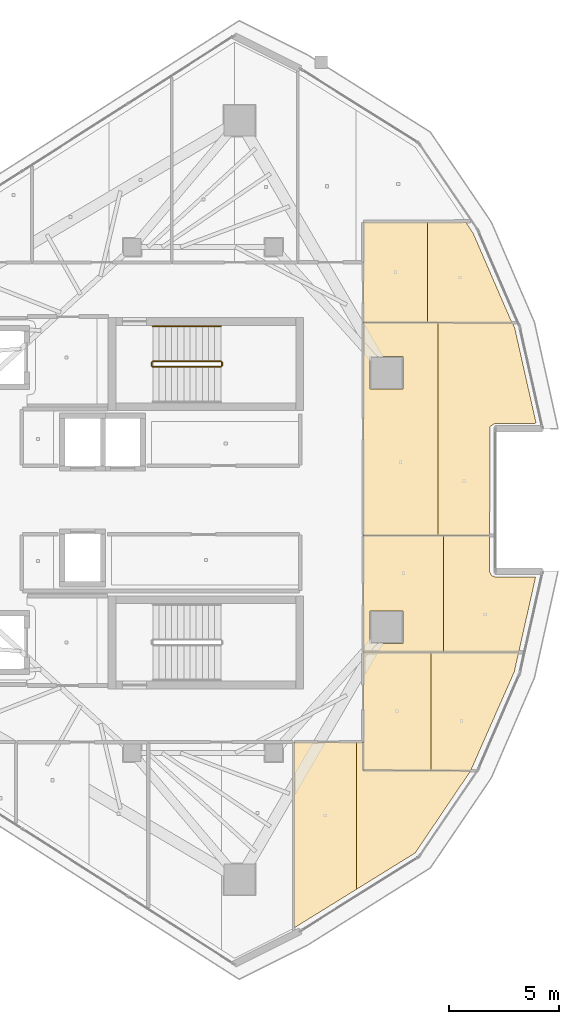
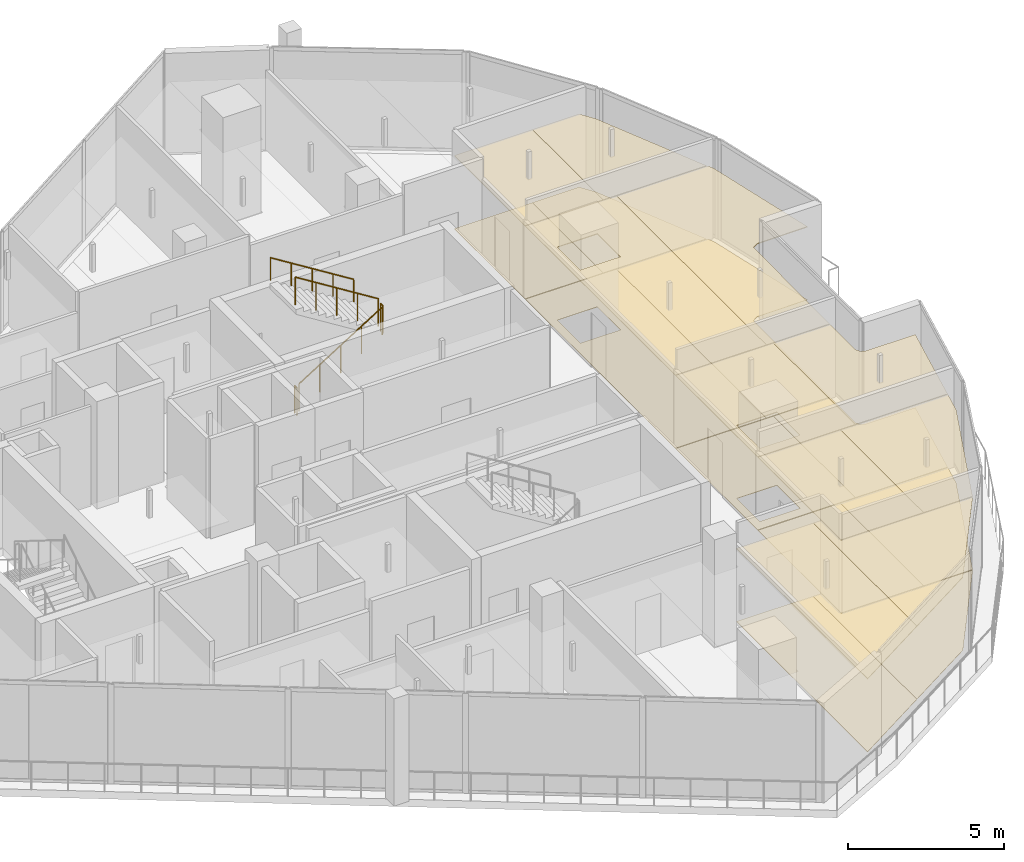
# One storey, part 23 of 24: 20 coverings, 5 railings.
"""IFC4 building model written with IfcOpenShell, lengths in metres."""

from ifc_helpers import new_model, si_unit, direction, frame, origin, origin_2d, place, context, subcontext, project, spatial, polyline, circle, outline, extrude, material, layer, layer_set, type_object, element, save


model = new_model("IFC4")

# Units and contexts
model_context = context("Model", 3, precision=1e-05, world=origin(), true_north=direction((0.0, 1.0)))
body_context = subcontext(model_context, "Body", "Model", "MODEL_VIEW")
ifc_project = project(units=[si_unit("LENGTHUNIT", "METRE"), si_unit("AREAUNIT", "SQUARE_METRE"), si_unit("VOLUMEUNIT", "CUBIC_METRE"), si_unit("PLANEANGLEUNIT", "RADIAN"), si_unit("MASSUNIT", "GRAM", prefix="KILO")], contexts=[model_context])

# Site, building, storey
site_placement = place(None, origin())
site = spatial("IfcSite", under=ifc_project, at=site_placement, CompositionType="ELEMENT")
building_placement = place(site_placement, origin())
building = spatial("IfcBuilding", under=site, at=building_placement, Name="Qorvath Tower", CompositionType="ELEMENT")
storey_placement = place(building_placement, frame((0.0, 0.0, 318.60009765625)))
storey = spatial("IfcBuildingStorey", under=building, at=storey_placement, Name="L74", CompositionType="ELEMENT", Elevation=318.60009765625)

# Coverings
ifc_material_1 = material(Name="Acoustic mineral fibre ceiling tile", Category="gypsum")
ifc_layer_1 = layer(ifc_material_1, 0.030029296875)
ifc_layer_set_1 = layer_set([ifc_layer_1], Name="COV-CEIL")
covering_type_1 = type_object("IfcCoveringType", Name="COV-CEIL", PredefinedType="CEILING", material=ifc_layer_set_1)
covering_1_placement = place(storey_placement, frame((0.0, 0.0, 2.849853515625)))
element("IfcCovering", 1, at=covering_1_placement, inside=storey, type_object=covering_type_1, Name="L74 Suspended Acoustic Ceiling 024", PredefinedType="CEILING", context=body_context, shape_type="SweptSolid", body=[
    extrude(outline(polyline([(-13.44921875, -17.624267578125), (-13.44921875, -10.962890625), (-16.28369140625, -10.962890625), (-16.284423828125, -19.37890625), (-13.44921875, -17.624267578125)])), origin(), (0.0, 0.0, 1.0), 0.030029296875),
])
covering_2_placement = place(storey_placement, frame((0.0, 0.0, 2.849853515625)))
element("IfcCovering", 2, at=covering_2_placement, inside=storey, type_object=covering_type_1, Name="L74 Suspended Acoustic Ceiling 025", PredefinedType="CEILING", context=body_context, shape_type="SweptSolid", body=[
    extrude(outline(polyline([(-13.155029296875, -10.962890625), (-13.44921875, -10.962890625), (-13.44921875, -17.624267578125), (-10.794189453125, -15.981201171875), (-8.281494140625, -12.25927734375), (-13.14990234375, -12.251953125), (-13.155029296875, -10.962890625)])), origin(), (0.0, 0.0, 1.0), 0.030029296875),
])
covering_3_placement = place(storey_placement, frame((0.0, 0.0, 2.849853515625)))
element("IfcCovering", 3, at=covering_3_placement, inside=storey, type_object=covering_type_1, Name="L74 Suspended Acoustic Ceiling 026", PredefinedType="CEILING", context=body_context, shape_type="SweptSolid", body=[
    extrude(outline(polyline([(-13.136962890625, -12.23388671875), (-10.087890625, -12.238525390625), (-10.087890625, -6.89599609375), (-13.136962890625, -6.89599609375), (-13.136962890625, -12.23388671875)])), origin(), (0.0, 0.0, 1.0), 0.030029296875),
])
covering_4_placement = place(storey_placement, frame((0.0, 0.0, 2.849853515625)))
element("IfcCovering", 4, at=covering_4_placement, inside=storey, type_object=covering_type_1, Name="L74 Suspended Acoustic Ceiling 027", PredefinedType="CEILING", context=body_context, shape_type="SweptSolid", body=[
    extrude(outline(polyline([(-10.087890625, -6.89599609375), (-10.087890625, -12.238525390625), (-8.2763671875, -12.2412109375), (-6.3076171875, -7.781982421875), (-6.108154296875, -6.89599609375), (-10.087890625, -6.89599609375)])), origin(), (0.0, 0.0, 1.0), 0.030029296875),
])
covering_5_placement = place(storey_placement, frame((0.0, 0.0, 2.849853515625)))
element("IfcCovering", 5, at=covering_5_placement, inside=storey, type_object=covering_type_1, Name="L74 Suspended Acoustic Ceiling 028", PredefinedType="CEILING", context=body_context, shape_type="SweptSolid", body=[
    extrude(outline(polyline([(-9.520263671875, -6.8779296875), (-9.520263671875, -1.6142578125), (-13.136962890625, -1.6142578125), (-13.136962890625, -6.8779296875), (-9.520263671875, -6.8779296875)]), holes=[polyline([(-12.839111328125, -6.500244140625), (-12.839111328125, -5.015380859375), (-11.3544921875, -5.015380859375), (-11.3544921875, -6.500244140625), (-12.839111328125, -6.500244140625)])]), origin(), (0.0, 0.0, 1.0), 0.030029296875),
])
covering_6_placement = place(storey_placement, frame((0.0, 0.0, 2.849853515625)))
element("IfcCovering", 6, at=covering_6_placement, inside=storey, type_object=covering_type_1, Name="L74 Suspended Acoustic Ceiling 029", PredefinedType="CEILING", context=body_context, shape_type="SweptSolid", body=[
    extrude(outline(polyline([(-7.33251953125, -3.41943359375), (-7.42333984375, -3.248291015625), (-7.424560546875, -1.6142578125), (-9.520263671875, -1.6142578125), (-9.520263671875, -6.8779296875), (-6.104248046875, -6.8779296875), (-5.339111328125, -3.478759765625), (-7.194091796875, -3.4775390625), (-7.33251953125, -3.41943359375)])), origin(), (0.0, 0.0, 1.0), 0.030029296875),
])
covering_7_placement = place(storey_placement, frame((0.0, 0.0, 2.849853515625)))
element("IfcCovering", 7, at=covering_7_placement, inside=storey, type_object=covering_type_1, Name="L74 Suspended Acoustic Ceiling 030", PredefinedType="CEILING", context=body_context, shape_type="SweptSolid", body=[
    extrude(outline(polyline([(-9.765625, -1.59619140625), (-9.765625, 8.025634765625), (-13.136962890625, 8.02783203125), (-13.136962890625, -1.59619140625), (-9.765625, -1.59619140625)]), holes=[polyline([(-12.839111328125, 5.015380859375), (-12.839111328125, 6.500244140625), (-11.3544921875, 6.500244140625), (-11.3544921875, 5.015380859375), (-12.839111328125, 5.015380859375)])]), origin(), (0.0, 0.0, 1.0), 0.030029296875),
])
covering_8_placement = place(storey_placement, frame((0.0, 0.0, 2.849853515625)))
element("IfcCovering", 8, at=covering_8_placement, inside=storey, type_object=covering_type_1, Name="L74 Suspended Acoustic Ceiling 031", PredefinedType="CEILING", context=body_context, shape_type="SweptSolid", body=[
    extrude(outline(polyline([(-7.424560546875, -1.59619140625), (-7.39697265625, 3.333740234375), (-7.192138671875, 3.45751953125), (-5.319580078125, 3.475341796875), (-6.2880859375, 7.786376953125), (-6.39306640625, 8.0234375), (-9.765625, 8.025634765625), (-9.765625, -1.59619140625), (-7.424560546875, -1.59619140625)])), origin(), (0.0, 0.0, 1.0), 0.030029296875),
])
covering_9_placement = place(storey_placement, frame((0.0, 0.0, 2.849853515625)))
element("IfcCovering", 9, at=covering_9_placement, inside=storey, type_object=covering_type_1, Name="L74 Suspended Acoustic Ceiling 032", PredefinedType="CEILING", context=body_context, shape_type="SweptSolid", body=[
    extrude(outline(polyline([(-13.136962890625, 12.57958984375), (-13.136962890625, 8.0458984375), (-10.24365234375, 8.0439453125), (-10.24365234375, 12.5908203125), (-13.136962890625, 12.57958984375)])), origin(), (0.0, 0.0, 1.0), 0.030029296875),
])
covering_10_placement = place(storey_placement, frame((0.0, 0.0, 2.849853515625)))
element("IfcCovering", 10, at=covering_10_placement, inside=storey, type_object=covering_type_1, Name="L74 Suspended Acoustic Ceiling 033", PredefinedType="CEILING", context=body_context, shape_type="SweptSolid", body=[
    extrude(outline(polyline([(-10.24365234375, 12.5908203125), (-10.24365234375, 8.0439453125), (-6.420166015625, 8.04150390625), (-8.1796875, 12.09912109375), (-8.518310546875, 12.59765625), (-10.24365234375, 12.5908203125)])), origin(), (0.0, 0.0, 1.0), 0.030029296875),
])
ifc_material_2 = material(Name="Low-VOC modular carpet tile", Category="textile")
ifc_layer_2 = layer(ifc_material_2, 0.014892578125)
ifc_layer_set_2 = layer_set([ifc_layer_2], Name="COV-FLOOR-CPT")
covering_type_2 = type_object("IfcCoveringType", Name="COV-FLOOR-CPT", PredefinedType="FLOORING", material=ifc_layer_set_2)
covering_11_placement = place(storey_placement, origin())
element("IfcCovering", 11, at=covering_11_placement, inside=storey, type_object=covering_type_2, Name="L74 Floor Finish 024", PredefinedType="FLOORING", context=body_context, shape_type="SweptSolid", body=[
    extrude(outline(polyline([(-13.44921875, -17.624267578125), (-13.44921875, -10.962890625), (-16.28369140625, -10.962890625), (-16.284423828125, -19.37890625), (-13.44921875, -17.624267578125)])), origin(), (0.0, 0.0, 1.0), 0.014892578125),
])
covering_12_placement = place(storey_placement, origin())
element("IfcCovering", 12, at=covering_12_placement, inside=storey, type_object=covering_type_2, Name="L74 Floor Finish 025", PredefinedType="FLOORING", context=body_context, shape_type="SweptSolid", body=[
    extrude(outline(polyline([(-13.155029296875, -10.962890625), (-13.44921875, -10.962890625), (-13.44921875, -17.624267578125), (-10.794189453125, -15.981201171875), (-8.281494140625, -12.25927734375), (-13.14990234375, -12.251953125), (-13.155029296875, -10.962890625)])), origin(), (0.0, 0.0, 1.0), 0.014892578125),
])
covering_13_placement = place(storey_placement, origin())
element("IfcCovering", 13, at=covering_13_placement, inside=storey, type_object=covering_type_2, Name="L74 Floor Finish 026", PredefinedType="FLOORING", context=body_context, shape_type="SweptSolid", body=[
    extrude(outline(polyline([(-13.136962890625, -12.23388671875), (-10.087890625, -12.238525390625), (-10.087890625, -6.89599609375), (-13.136962890625, -6.89599609375), (-13.136962890625, -12.23388671875)])), origin(), (0.0, 0.0, 1.0), 0.014892578125),
])
covering_14_placement = place(storey_placement, origin())
element("IfcCovering", 14, at=covering_14_placement, inside=storey, type_object=covering_type_2, Name="L74 Floor Finish 027", PredefinedType="FLOORING", context=body_context, shape_type="SweptSolid", body=[
    extrude(outline(polyline([(-10.087890625, -6.89599609375), (-10.087890625, -12.238525390625), (-8.2763671875, -12.2412109375), (-6.3076171875, -7.781982421875), (-6.108154296875, -6.89599609375), (-10.087890625, -6.89599609375)])), origin(), (0.0, 0.0, 1.0), 0.014892578125),
])
covering_15_placement = place(storey_placement, origin())
element("IfcCovering", 15, at=covering_15_placement, inside=storey, type_object=covering_type_2, Name="L74 Floor Finish 028", PredefinedType="FLOORING", context=body_context, shape_type="SweptSolid", body=[
    extrude(outline(polyline([(-9.520263671875, -6.8779296875), (-9.520263671875, -1.6142578125), (-13.136962890625, -1.6142578125), (-13.136962890625, -6.8779296875), (-9.520263671875, -6.8779296875)]), holes=[polyline([(-12.839111328125, -6.500244140625), (-12.839111328125, -5.015380859375), (-11.3544921875, -5.015380859375), (-11.3544921875, -6.500244140625), (-12.839111328125, -6.500244140625)])]), origin(), (0.0, 0.0, 1.0), 0.014892578125),
])
covering_16_placement = place(storey_placement, origin())
element("IfcCovering", 16, at=covering_16_placement, inside=storey, type_object=covering_type_2, Name="L74 Floor Finish 029", PredefinedType="FLOORING", context=body_context, shape_type="SweptSolid", body=[
    extrude(outline(polyline([(-7.33251953125, -3.41943359375), (-7.42333984375, -3.248291015625), (-7.424560546875, -1.6142578125), (-9.520263671875, -1.6142578125), (-9.520263671875, -6.8779296875), (-6.104248046875, -6.8779296875), (-5.339111328125, -3.478759765625), (-7.194091796875, -3.4775390625), (-7.33251953125, -3.41943359375)])), origin(), (0.0, 0.0, 1.0), 0.014892578125),
])
covering_17_placement = place(storey_placement, origin())
element("IfcCovering", 17, at=covering_17_placement, inside=storey, type_object=covering_type_2, Name="L74 Floor Finish 030", PredefinedType="FLOORING", context=body_context, shape_type="SweptSolid", body=[
    extrude(outline(polyline([(-9.765625, -1.59619140625), (-9.765625, 8.025634765625), (-13.136962890625, 8.02783203125), (-13.136962890625, -1.59619140625), (-9.765625, -1.59619140625)]), holes=[polyline([(-12.839111328125, 5.015380859375), (-12.839111328125, 6.500244140625), (-11.3544921875, 6.500244140625), (-11.3544921875, 5.015380859375), (-12.839111328125, 5.015380859375)])]), origin(), (0.0, 0.0, 1.0), 0.014892578125),
])
covering_18_placement = place(storey_placement, origin())
element("IfcCovering", 18, at=covering_18_placement, inside=storey, type_object=covering_type_2, Name="L74 Floor Finish 031", PredefinedType="FLOORING", context=body_context, shape_type="SweptSolid", body=[
    extrude(outline(polyline([(-7.424560546875, -1.59619140625), (-7.39697265625, 3.333740234375), (-7.192138671875, 3.45751953125), (-5.319580078125, 3.475341796875), (-6.2880859375, 7.786376953125), (-6.39306640625, 8.0234375), (-9.765625, 8.025634765625), (-9.765625, -1.59619140625), (-7.424560546875, -1.59619140625)])), origin(), (0.0, 0.0, 1.0), 0.014892578125),
])
covering_19_placement = place(storey_placement, origin())
element("IfcCovering", 19, at=covering_19_placement, inside=storey, type_object=covering_type_2, Name="L74 Floor Finish 032", PredefinedType="FLOORING", context=body_context, shape_type="SweptSolid", body=[
    extrude(outline(polyline([(-13.136962890625, 12.57958984375), (-13.136962890625, 8.0458984375), (-10.24365234375, 8.0439453125), (-10.24365234375, 12.5908203125), (-13.136962890625, 12.57958984375)])), origin(), (0.0, 0.0, 1.0), 0.014892578125),
])
covering_20_placement = place(storey_placement, origin())
element("IfcCovering", 20, at=covering_20_placement, inside=storey, type_object=covering_type_2, Name="L74 Floor Finish 033", PredefinedType="FLOORING", context=body_context, shape_type="SweptSolid", body=[
    extrude(outline(polyline([(-10.24365234375, 12.5908203125), (-10.24365234375, 8.0439453125), (-6.420166015625, 8.04150390625), (-8.1796875, 12.09912109375), (-8.518310546875, 12.59765625), (-10.24365234375, 12.5908203125)])), origin(), (0.0, 0.0, 1.0), 0.014892578125),
])

# Railings
ifc_material_3 = material(Name="Painted galvanised steel", Category="steel")
railing_type_1 = type_object("IfcRailingType", Name="RL-STR-GRD", PredefinedType="GUARDRAIL", material=ifc_material_3)
railing_1_placement = place(storey_placement, frame((-22.669921875, 6.030029296875, 0.1748046875)))
element("IfcRailing", 21, at=railing_1_placement, inside=storey, type_object=railing_type_1, Name="L74 TS1 stair guard 1", PredefinedType="GUARDRAIL", context=body_context, shape_type="SweptSolid", body=[
    extrude(circle(Radius=0.02392578125, at=origin_2d()), frame((0.0, 0.0, 1.076171875), z_axis=(0.847979421464, 0.0, 0.530029150871), x_axis=(0.0, 1.0, 0.0)), (0.0, 0.0, 1.0), 3.632080078125),
    extrude(circle(Radius=0.02099609375, at=origin_2d()), origin(), (0.0, 0.0, 1.0), 1.052001953125),
    extrude(circle(Radius=0.02099609375, at=origin_2d()), frame((0.77001953125, 0.0, 0.481201171875)), (0.0, 0.0, 1.0), 1.052001953125),
    extrude(circle(Radius=0.02099609375, at=origin_2d()), frame((1.5400390625, 0.0, 0.96240234375)), (0.0, 0.0, 1.0), 1.052001953125),
    extrude(circle(Radius=0.02099609375, at=origin_2d()), frame((2.309814453125, 0.0, 1.44384765625)), (0.0, 0.0, 1.0), 1.052001953125),
    extrude(circle(Radius=0.02099609375, at=origin_2d()), frame((3.079833984375, 0.0, 1.925048828125)), (0.0, 0.0, 1.0), 1.052001953125),
])
railing_2_placement = place(storey_placement, frame((-19.5400390625, 6.080078125, 2.099853515625)))
element("IfcRailing", 22, at=railing_2_placement, inside=storey, type_object=railing_type_1, Name="L74 TS1 stair guard 2", PredefinedType="GUARDRAIL", context=body_context, shape_type="SweptSolid", body=[
    extrude(circle(Radius=0.02392578125, at=origin_2d()), frame((0.0, 0.0, 1.076171875), z_axis=(0.0, 1.0, 0.0), x_axis=(-1.0, 0.0, 0.0)), (0.0, 0.0, 1.0), 0.14990234375),
    extrude(circle(Radius=0.02099609375, at=origin_2d()), origin(), (0.0, 0.0, 1.0), 1.052001953125),
    extrude(circle(Radius=0.02099609375, at=origin_2d()), frame((0.0, 0.14990234375, 0.0)), (0.0, 0.0, 1.0), 1.052001953125),
])
railing_3_placement = place(storey_placement, frame((-19.590087890625, 6.280029296875, 2.27490234375)))
element("IfcRailing", 23, at=railing_3_placement, inside=storey, type_object=railing_type_1, Name="L74 TS1 stair guard 3", PredefinedType="GUARDRAIL", context=body_context, shape_type="SweptSolid", body=[
    extrude(circle(Radius=0.02392578125, at=origin_2d()), frame((0.0, 0.0, 1.076171875), z_axis=(-0.847979421464, 0.0, 0.530029150871), x_axis=(0.0, -1.0, 0.0)), (0.0, 0.0, 1.0), 3.632080078125),
    extrude(circle(Radius=0.02099609375, at=origin_2d()), origin(), (0.0, 0.0, 1.0), 1.052001953125),
    extrude(circle(Radius=0.02099609375, at=origin_2d()), frame((-0.77001953125, 0.0, 0.481201171875)), (0.0, 0.0, 1.0), 1.052001953125),
    extrude(circle(Radius=0.02099609375, at=origin_2d()), frame((-1.5400390625, 0.0, 0.96240234375)), (0.0, 0.0, 1.0), 1.052001953125),
    extrude(circle(Radius=0.02099609375, at=origin_2d()), frame((-2.309814453125, 0.0, 1.44384765625)), (0.0, 0.0, 1.0), 1.052001953125),
    extrude(circle(Radius=0.02099609375, at=origin_2d()), frame((-3.079833984375, 0.0, 1.925048828125)), (0.0, 0.0, 1.0), 1.052001953125),
])
railing_4_placement = place(storey_placement, frame((-22.719970703125, 6.080078125, 0.0)))
element("IfcRailing", 24, at=railing_4_placement, inside=storey, type_object=railing_type_1, Name="L74 TS1 stair guard 4", PredefinedType="GUARDRAIL", context=body_context, shape_type="SweptSolid", body=[
    extrude(circle(Radius=0.02392578125, at=origin_2d()), frame((0.0, 0.0, 1.076171875), z_axis=(0.0, 1.0, 0.0), x_axis=(-1.0, 0.0, 0.0)), (0.0, 0.0, 1.0), 0.14990234375),
    extrude(circle(Radius=0.02099609375, at=origin_2d()), origin(), (0.0, 0.0, 1.0), 1.052001953125),
    extrude(circle(Radius=0.02099609375, at=origin_2d()), frame((0.0, 0.14990234375, 0.0)), (0.0, 0.0, 1.0), 1.052001953125),
])
ifc_material_4 = material(Name="Brushed stainless steel AISI 304", Category="steel")
railing_type_2 = type_object("IfcRailingType", Name="RL-STR-HND", PredefinedType="HANDRAIL", material=ifc_material_4)
railing_5_placement = place(storey_placement, frame((-19.590087890625, 7.860107421875, 2.27490234375)))
element("IfcRailing", 25, at=railing_5_placement, inside=storey, type_object=railing_type_2, Name="L74 TS1 stair handrail 2", PredefinedType="HANDRAIL", context=body_context, shape_type="SweptSolid", body=[
    extrude(circle(Radius=0.02392578125, at=origin_2d()), frame((0.0, 0.0, 0.8759765625), z_axis=(-0.847979421464, 0.0, 0.530029150871), x_axis=(0.0, -1.0, 0.0)), (0.0, 0.0, 1.0), 3.632080078125),
    extrude(circle(Radius=0.02099609375, at=origin_2d()), origin(), (0.0, 0.0, 1.0), 0.851806640625),
    extrude(circle(Radius=0.02099609375, at=origin_2d()), frame((-0.77001953125, 0.0, 0.481201171875)), (0.0, 0.0, 1.0), 0.851806640625),
    extrude(circle(Radius=0.02099609375, at=origin_2d()), frame((-1.5400390625, 0.0, 0.96240234375)), (0.0, 0.0, 1.0), 0.851806640625),
    extrude(circle(Radius=0.02099609375, at=origin_2d()), frame((-2.309814453125, 0.0, 1.44384765625)), (0.0, 0.0, 1.0), 0.851806640625),
    extrude(circle(Radius=0.02099609375, at=origin_2d()), frame((-3.079833984375, 0.0, 1.925048828125)), (0.0, 0.0, 1.0), 0.851806640625),
])

save(model, "model.ifc")
